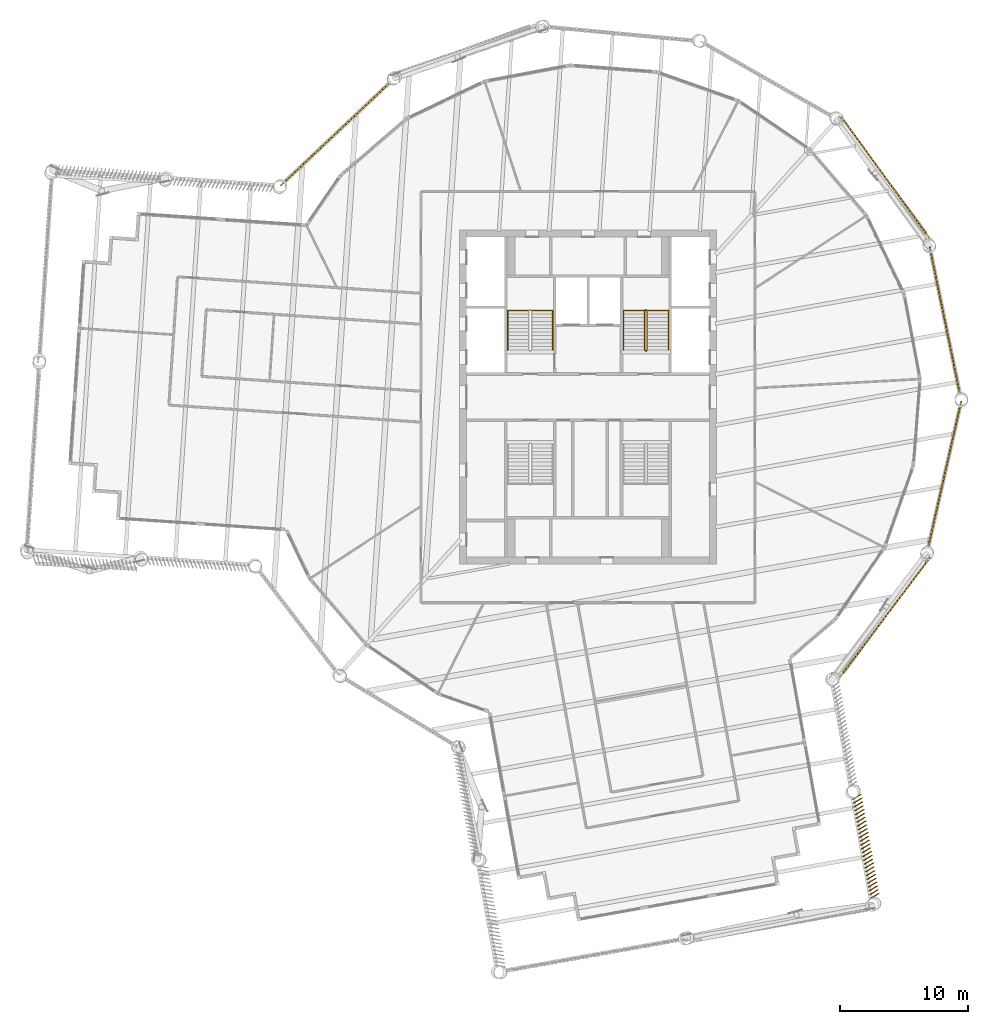
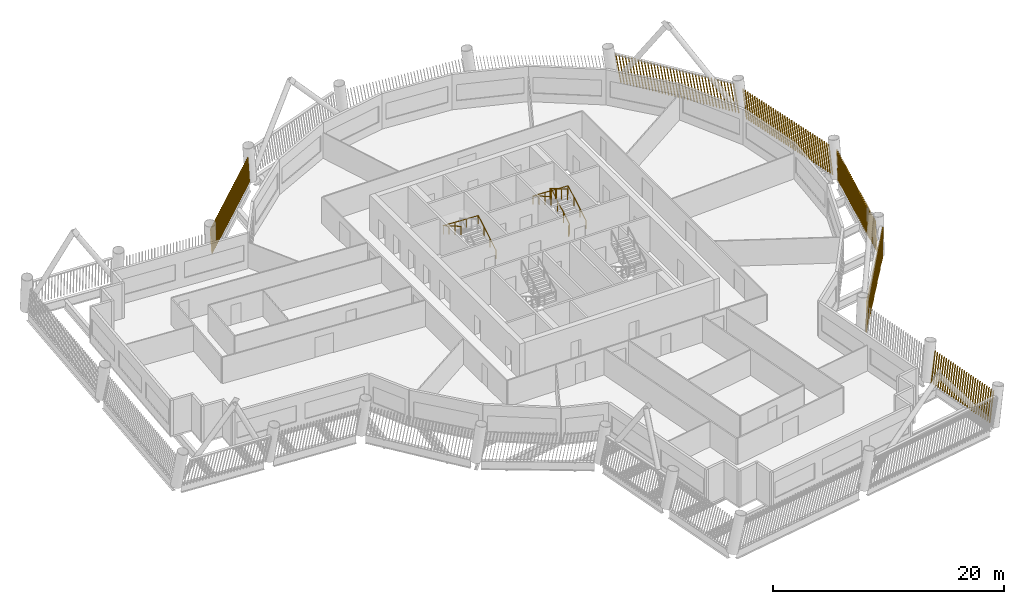
# One storey, part 20 of 22: 6 shading devices, 3 railings.
"""IFC4 building model written with IfcOpenShell, lengths in metres."""

from ifc_helpers import new_model, si_unit, direction, frame, frame_2d, origin, origin_2d, place, context, subcontext, project, spatial, rectangle, circle, composite_profile, extrude, material, type_object, element, save


model = new_model("IFC4")

# Units and contexts
model_context = context("Model", 3, precision=1e-05, world=origin(), true_north=direction((0.0, 1.0)))
body_context = subcontext(model_context, "Body", "Model", "MODEL_VIEW")
ifc_project = project(units=[si_unit("LENGTHUNIT", "METRE"), si_unit("AREAUNIT", "SQUARE_METRE"), si_unit("VOLUMEUNIT", "CUBIC_METRE"), si_unit("PLANEANGLEUNIT", "RADIAN"), si_unit("MASSUNIT", "GRAM", prefix="KILO")], contexts=[model_context])

# Site, building, storey
site_placement = place(None, origin())
site = spatial("IfcSite", under=ifc_project, at=site_placement, CompositionType="ELEMENT")
building_placement = place(site_placement, origin())
building = spatial("IfcBuilding", under=site, at=building_placement, Name="Tarsis Ring Headquarters", CompositionType="ELEMENT")
storey_placement = place(building_placement, frame((0.0, 0.0, 270.800048828125)))
storey = spatial("IfcBuildingStorey", under=building, at=storey_placement, Name="L63", CompositionType="ELEMENT", Elevation=270.800048828125)

# Railings
ifc_material_1 = material(Name="Steel S355", Category="steel")
railing_type_1 = type_object("IfcRailingType", Name="Core stair guard 1100", PredefinedType="GUARDRAIL", material=ifc_material_1)
railing_1_placement = place(storey_placement, frame((4.4599609375, 3.610107421875, 0.0)))
element("IfcRailing", 1, at=railing_1_placement, inside=storey, type_object=railing_type_1, Name="L63 ST2 stair guard 1", PredefinedType="GUARDRAIL", context=body_context, shape_type="SweptSolid", body=[
    extrude(circle(Radius=0.02392578125, at=origin_2d()), frame((0.0, 0.0, 1.076171875), z_axis=(1.0, 0.0, 0.0), x_axis=(0.0, 1.0, 0.0)), (0.0, 0.0, 1.0), 0.080078125),
    extrude(circle(Radius=0.02392578125, at=origin_2d()), frame((0.080078125, 0.0, 1.076171875), z_axis=(0.282693820306, 0.281314826061, 0.917031173188), x_axis=(-0.705375805398, 0.708833529934, 0.0)), (0.0, 0.0, 1.0), 0.177001953125),
    extrude(circle(Radius=0.02392578125, at=origin_2d()), frame((0.130126953125, 0.0498046875, 1.23828125), z_axis=(0.0, 0.864890721111, 0.501960198159), x_axis=(-1.0, 0.0, 0.0)), (0.0, 0.0, 1.0), 3.561279296875),
    extrude(circle(Radius=0.02392578125, at=origin_2d()), frame((0.130126953125, 3.1298828125, 3.02587890625), z_axis=(-0.707106781187, 0.707106781187, 0.0), x_axis=(-0.707106781187, -0.707106781187, 0.0)), (0.0, 0.0, 1.0), 0.07080078125),
    extrude(circle(Radius=0.02392578125, at=origin_2d()), frame((0.080078125, 3.179931640625, 3.02587890625), z_axis=(-1.0, 0.0, 0.0), x_axis=(0.0, -1.0, 0.0)), (0.0, 0.0, 1.0), 0.080078125),
    extrude(circle(Radius=0.02392578125, at=origin_2d()), frame((0.0, 3.179931640625, 3.02587890625), z_axis=(-0.282227285176, -0.282227285176, 0.916894497205), x_axis=(0.707106781187, -0.707106781187, 0.0)), (0.0, 0.0, 1.0), 0.17724609375),
    extrude(circle(Radius=0.02392578125, at=origin_2d()), frame((-0.050048828125, 3.1298828125, 3.1884765625), z_axis=(0.0, -0.864920483161, 0.501908913857), x_axis=(1.0, 0.0, 0.0)), (0.0, 0.0, 1.0), 3.56103515625),
    extrude(circle(Radius=0.02099609375, at=origin_2d()), origin(), (0.0, 0.0, 1.0), 1.052001953125),
    extrude(circle(Radius=0.02099609375, at=origin_2d()), frame((0.080078125, 0.0, 0.0)), (0.0, 0.0, 1.0), 1.052001953125),
    extrude(circle(Radius=0.02099609375, at=origin_2d()), frame((0.130126953125, 0.0498046875, 0.162353515625)), (0.0, 0.0, 1.0), 1.052001953125),
    extrude(circle(Radius=0.02099609375, at=origin_2d()), frame((0.130126953125, 1.076416015625, 0.75830078125)), (0.0, 0.0, 1.0), 1.052001953125),
    extrude(circle(Radius=0.02099609375, at=origin_2d()), frame((0.130126953125, 2.103271484375, 1.35400390625)), (0.0, 0.0, 1.0), 1.052001953125),
    extrude(circle(Radius=0.02099609375, at=origin_2d()), frame((0.130126953125, 3.1298828125, 1.949951171875)), (0.0, 0.0, 1.0), 1.052001953125),
    extrude(circle(Radius=0.02099609375, at=origin_2d()), frame((0.080078125, 3.179931640625, 1.949951171875)), (0.0, 0.0, 1.0), 1.052001953125),
    extrude(circle(Radius=0.02099609375, at=origin_2d()), frame((0.0, 3.179931640625, 1.949951171875)), (0.0, 0.0, 1.0), 1.052001953125),
    extrude(circle(Radius=0.02099609375, at=origin_2d()), frame((-0.050048828125, 3.1298828125, 2.112548828125)), (0.0, 0.0, 1.0), 1.052001953125),
    extrude(circle(Radius=0.02099609375, at=origin_2d()), frame((-0.050048828125, 2.103271484375, 2.708251953125)), (0.0, 0.0, 1.0), 1.052001953125),
    extrude(circle(Radius=0.02099609375, at=origin_2d()), frame((-0.050048828125, 1.076416015625, 3.30419921875)), (0.0, 0.0, 1.0), 1.052001953125),
    extrude(circle(Radius=0.02099609375, at=origin_2d()), frame((-0.050048828125, 0.0498046875, 3.89990234375)), (0.0, 0.0, 1.0), 1.052001953125),
])
railing_type_2 = type_object("IfcRailingType", Name="Core stair handrail 900", PredefinedType="HANDRAIL", material=ifc_material_1)
railing_2_placement = place(storey_placement, frame((-2.75, 3.659912109375, 0.162353515625)))
element("IfcRailing", 2, at=railing_2_placement, inside=storey, type_object=railing_type_2, Name="L63 ST1 stair handrail 1", PredefinedType="HANDRAIL", context=body_context, shape_type="SweptSolid", body=[
    extrude(circle(Radius=0.02392578125, at=origin_2d()), frame((0.0, 0.0, 0.8759765625), z_axis=(0.0, 0.864890721111, 0.501960198159), x_axis=(-1.0, 0.0, 0.0)), (0.0, 0.0, 1.0), 3.561279296875),
    extrude(circle(Radius=0.02392578125, at=origin_2d()), frame((0.0, 3.080078125, 2.66357421875), z_axis=(-0.998922641604, 0.0, 0.046406422943), x_axis=(0.0, -1.0, 0.0)), (0.0, 0.0, 1.0), 3.503662109375),
    extrude(circle(Radius=0.02392578125, at=origin_2d()), frame((-3.5, 3.080078125, 2.826171875), z_axis=(0.0, -0.864920483161, 0.501908913857), x_axis=(1.0, 0.0, 0.0)), (0.0, 0.0, 1.0), 3.56103515625),
    extrude(circle(Radius=0.02099609375, at=origin_2d()), origin(), (0.0, 0.0, 1.0), 0.851806640625),
    extrude(circle(Radius=0.02099609375, at=origin_2d()), frame((0.0, 1.026611328125, 0.595947265625)), (0.0, 0.0, 1.0), 0.851806640625),
    extrude(circle(Radius=0.02099609375, at=origin_2d()), frame((0.0, 2.053466796875, 1.191650390625)), (0.0, 0.0, 1.0), 0.851806640625),
    extrude(circle(Radius=0.02099609375, at=origin_2d()), frame((0.0, 3.080078125, 1.78759765625)), (0.0, 0.0, 1.0), 0.851806640625),
    extrude(circle(Radius=0.02099609375, at=origin_2d()), frame((-1.166748046875, 3.080078125, 1.841796875)), (0.0, 0.0, 1.0), 0.851806640625),
    extrude(circle(Radius=0.02099609375, at=origin_2d()), frame((-2.333251953125, 3.080078125, 1.89599609375)), (0.0, 0.0, 1.0), 0.851806640625),
    extrude(circle(Radius=0.02099609375, at=origin_2d()), frame((-3.5, 3.080078125, 1.9501953125)), (0.0, 0.0, 1.0), 0.851806640625),
    extrude(circle(Radius=0.02099609375, at=origin_2d()), frame((-3.5, 2.053466796875, 2.5458984375)), (0.0, 0.0, 1.0), 0.851806640625),
    extrude(circle(Radius=0.02099609375, at=origin_2d()), frame((-3.5, 1.026611328125, 3.141845703125)), (0.0, 0.0, 1.0), 0.851806640625),
    extrude(circle(Radius=0.02099609375, at=origin_2d()), frame((-3.5, 0.0, 3.737548828125)), (0.0, 0.0, 1.0), 0.851806640625),
])
railing_3_placement = place(storey_placement, frame((6.25, 3.659912109375, 0.162353515625)))
element("IfcRailing", 3, at=railing_3_placement, inside=storey, type_object=railing_type_2, Name="L63 ST2 stair handrail 1", PredefinedType="HANDRAIL", context=body_context, shape_type="SweptSolid", body=[
    extrude(circle(Radius=0.02392578125, at=origin_2d()), frame((0.0, 0.0, 0.8759765625), z_axis=(0.0, 0.864890721111, 0.501960198159), x_axis=(-1.0, 0.0, 0.0)), (0.0, 0.0, 1.0), 3.561279296875),
    extrude(circle(Radius=0.02392578125, at=origin_2d()), frame((0.0, 3.080078125, 2.66357421875), z_axis=(-0.998922641604, 0.0, 0.046406422943), x_axis=(0.0, -1.0, 0.0)), (0.0, 0.0, 1.0), 3.503662109375),
    extrude(circle(Radius=0.02392578125, at=origin_2d()), frame((-3.5, 3.080078125, 2.826171875), z_axis=(0.0, -0.864920483161, 0.501908913857), x_axis=(1.0, 0.0, 0.0)), (0.0, 0.0, 1.0), 3.56103515625),
    extrude(circle(Radius=0.02099609375, at=origin_2d()), origin(), (0.0, 0.0, 1.0), 0.851806640625),
    extrude(circle(Radius=0.02099609375, at=origin_2d()), frame((0.0, 1.026611328125, 0.595947265625)), (0.0, 0.0, 1.0), 0.851806640625),
    extrude(circle(Radius=0.02099609375, at=origin_2d()), frame((0.0, 2.053466796875, 1.191650390625)), (0.0, 0.0, 1.0), 0.851806640625),
    extrude(circle(Radius=0.02099609375, at=origin_2d()), frame((0.0, 3.080078125, 1.78759765625)), (0.0, 0.0, 1.0), 0.851806640625),
    extrude(circle(Radius=0.02099609375, at=origin_2d()), frame((-1.166748046875, 3.080078125, 1.841796875)), (0.0, 0.0, 1.0), 0.851806640625),
    extrude(circle(Radius=0.02099609375, at=origin_2d()), frame((-2.333251953125, 3.080078125, 1.89599609375)), (0.0, 0.0, 1.0), 0.851806640625),
    extrude(circle(Radius=0.02099609375, at=origin_2d()), frame((-3.5, 3.080078125, 1.9501953125)), (0.0, 0.0, 1.0), 0.851806640625),
    extrude(circle(Radius=0.02099609375, at=origin_2d()), frame((-3.5, 2.053466796875, 2.5458984375)), (0.0, 0.0, 1.0), 0.851806640625),
    extrude(circle(Radius=0.02099609375, at=origin_2d()), frame((-3.5, 1.026611328125, 3.141845703125)), (0.0, 0.0, 1.0), 0.851806640625),
    extrude(circle(Radius=0.02099609375, at=origin_2d()), frame((-3.5, 0.0, 3.737548828125)), (0.0, 0.0, 1.0), 0.851806640625),
])

# Shading devices
ifc_material_2 = material(Name="Terracotta baguette", Category="masonry")
shading_device_type = type_object("IfcShadingDeviceType", Name="Terracotta baguette screen", PredefinedType="USERDEFINED", material=ifc_material_2)
shading_device_1_placement = place(storey_placement, frame((22.002197265625, -39.041259765625, 0.0), z_axis=(0.0, 0.0, 1.0), x_axis=(-0.175698220465, 0.984429065744, 0.0)))
element("IfcShadingDevice", 4, at=shading_device_1_placement, inside=storey, type_object=shading_device_type, Name="Baguette screen L63-05", ObjectType="Terracotta baguette screen", PredefinedType="USERDEFINED", context=body_context, shape_type="SweptSolid", body=[
    extrude(composite_profile([rectangle(XDim=0.06005859375, YDim=0.1201171875, at=frame_2d((0.030029296875, 0.0))), rectangle(XDim=0.06005859375, YDim=0.1201171875, at=frame_2d((0.33154296875, 0.0))), rectangle(XDim=0.06005859375, YDim=0.1201171875, at=frame_2d((0.63330078125, 0.0))), rectangle(XDim=0.06005859375, YDim=0.1201171875, at=frame_2d((0.934814453125, 0.0))), rectangle(XDim=0.06005859375, YDim=0.1201171875, at=frame_2d((1.236572265625, 0.0))), rectangle(XDim=0.06005859375, YDim=0.1201171875, at=frame_2d((1.5380859375, 0.0))), rectangle(XDim=0.06005859375, YDim=0.1201171875, at=frame_2d((1.83984375, 0.0))), rectangle(XDim=0.06005859375, YDim=0.1201171875, at=frame_2d((2.141357421875, 0.0))), rectangle(XDim=0.06005859375, YDim=0.1201171875, at=frame_2d((2.443115234375, 0.0))), rectangle(XDim=0.06005859375, YDim=0.1201171875, at=frame_2d((2.74462890625, 0.0))), rectangle(XDim=0.06005859375, YDim=0.1201171875, at=frame_2d((3.04638671875, 0.0))), rectangle(XDim=0.06005859375, YDim=0.1201171875, at=frame_2d((3.347900390625, 0.0))), rectangle(XDim=0.06005859375, YDim=0.1201171875, at=frame_2d((3.649658203125, 0.0))), rectangle(XDim=0.06005859375, YDim=0.1201171875, at=frame_2d((3.951171875, 0.0))), rectangle(XDim=0.06005859375, YDim=0.1201171875, at=frame_2d((4.252685546875, 0.0))), rectangle(XDim=0.06005859375, YDim=0.1201171875, at=frame_2d((4.554443359375, 0.0))), rectangle(XDim=0.06005859375, YDim=0.1201171875, at=frame_2d((4.85595703125, 0.0))), rectangle(XDim=0.06005859375, YDim=0.1201171875, at=frame_2d((5.15771484375, 0.0))), rectangle(XDim=0.06005859375, YDim=0.1201171875, at=frame_2d((5.459228515625, 0.0))), rectangle(XDim=0.06005859375, YDim=0.1201171875, at=frame_2d((5.760986328125, 0.0))), rectangle(XDim=0.06005859375, YDim=0.1201171875, at=frame_2d((6.0625, 0.0))), rectangle(XDim=0.06005859375, YDim=0.1201171875, at=frame_2d((6.3642578125, 0.0))), rectangle(XDim=0.06005859375, YDim=0.1201171875, at=frame_2d((6.665771484375, 0.0))), rectangle(XDim=0.06005859375, YDim=0.1201171875, at=frame_2d((6.967529296875, 0.0))), rectangle(XDim=0.06005859375, YDim=0.1201171875, at=frame_2d((7.26904296875, 0.0))), rectangle(XDim=0.06005859375, YDim=0.1201171875, at=frame_2d((7.57080078125, 0.0))), rectangle(XDim=0.06005859375, YDim=0.1201171875, at=frame_2d((7.872314453125, 0.0)))]), origin(), (0.08651055011, -0.218459988981, 0.972003682058), 3.05322265625),
])
shading_device_2_placement = place(storey_placement, frame((19.562255859375, -21.833251953125, 0.0), z_axis=(0.0, 0.0, 1.0), x_axis=(0.602916919872, 0.797790606824, 0.0)))
element("IfcShadingDevice", 5, at=shading_device_2_placement, inside=storey, type_object=shading_device_type, Name="Baguette screen L63-07", ObjectType="Terracotta baguette screen", PredefinedType="USERDEFINED", context=body_context, shape_type="SweptSolid", body=[
    extrude(composite_profile([rectangle(XDim=0.06005859375, YDim=0.1201171875, at=frame_2d((0.030029296875, 0.0))), rectangle(XDim=0.06005859375, YDim=0.1201171875, at=frame_2d((0.33251953125, 0.0))), rectangle(XDim=0.06005859375, YDim=0.1201171875, at=frame_2d((0.634765625, 0.0))), rectangle(XDim=0.06005859375, YDim=0.1201171875, at=frame_2d((0.937255859375, 0.0))), rectangle(XDim=0.06005859375, YDim=0.1201171875, at=frame_2d((1.239501953125, 0.0))), rectangle(XDim=0.06005859375, YDim=0.1201171875, at=frame_2d((1.5419921875, 0.0))), rectangle(XDim=0.06005859375, YDim=0.1201171875, at=frame_2d((1.844482421875, 0.0))), rectangle(XDim=0.06005859375, YDim=0.1201171875, at=frame_2d((2.146728515625, 0.0))), rectangle(XDim=0.06005859375, YDim=0.1201171875, at=frame_2d((2.44921875, 0.0))), rectangle(XDim=0.06005859375, YDim=0.1201171875, at=frame_2d((2.751708984375, 0.0))), rectangle(XDim=0.06005859375, YDim=0.1201171875, at=frame_2d((3.053955078125, 0.0))), rectangle(XDim=0.06005859375, YDim=0.1201171875, at=frame_2d((3.3564453125, 0.0))), rectangle(XDim=0.06005859375, YDim=0.1201171875, at=frame_2d((3.65869140625, 0.0))), rectangle(XDim=0.06005859375, YDim=0.1201171875, at=frame_2d((3.961181640625, 0.0))), rectangle(XDim=0.06005859375, YDim=0.1201171875, at=frame_2d((4.263671875, 0.0))), rectangle(XDim=0.06005859375, YDim=0.1201171875, at=frame_2d((4.56591796875, 0.0))), rectangle(XDim=0.06005859375, YDim=0.1201171875, at=frame_2d((4.868408203125, 0.0))), rectangle(XDim=0.06005859375, YDim=0.1201171875, at=frame_2d((5.1708984375, 0.0))), rectangle(XDim=0.06005859375, YDim=0.1201171875, at=frame_2d((5.47314453125, 0.0))), rectangle(XDim=0.06005859375, YDim=0.1201171875, at=frame_2d((5.775634765625, 0.0))), rectangle(XDim=0.06005859375, YDim=0.1201171875, at=frame_2d((6.077880859375, 0.0))), rectangle(XDim=0.06005859375, YDim=0.1201171875, at=frame_2d((6.38037109375, 0.0))), rectangle(XDim=0.06005859375, YDim=0.1201171875, at=frame_2d((6.682861328125, 0.0))), rectangle(XDim=0.06005859375, YDim=0.1201171875, at=frame_2d((6.985107421875, 0.0))), rectangle(XDim=0.06005859375, YDim=0.1201171875, at=frame_2d((7.28759765625, 0.0))), rectangle(XDim=0.06005859375, YDim=0.1201171875, at=frame_2d((7.590087890625, 0.0))), rectangle(XDim=0.06005859375, YDim=0.1201171875, at=frame_2d((7.892333984375, 0.0))), rectangle(XDim=0.06005859375, YDim=0.1201171875, at=frame_2d((8.19482421875, 0.0))), rectangle(XDim=0.06005859375, YDim=0.1201171875, at=frame_2d((8.4970703125, 0.0))), rectangle(XDim=0.06005859375, YDim=0.1201171875, at=frame_2d((8.799560546875, 0.0))), rectangle(XDim=0.06005859375, YDim=0.1201171875, at=frame_2d((9.10205078125, 0.0))), rectangle(XDim=0.06005859375, YDim=0.1201171875, at=frame_2d((9.404296875, 0.0))), rectangle(XDim=0.06005859375, YDim=0.1201171875, at=frame_2d((9.706787109375, 0.0))), rectangle(XDim=0.06005859375, YDim=0.1201171875, at=frame_2d((10.00927734375, 0.0))), rectangle(XDim=0.06005859375, YDim=0.1201171875, at=frame_2d((10.3115234375, 0.0))), rectangle(XDim=0.06005859375, YDim=0.1201171875, at=frame_2d((10.614013671875, 0.0))), rectangle(XDim=0.06005859375, YDim=0.1201171875, at=frame_2d((10.916259765625, 0.0))), rectangle(XDim=0.06005859375, YDim=0.1201171875, at=frame_2d((11.21875, 0.0)))]), origin(), (0.166816642488, 0.001458404835, 0.985986856324), 3.010009765625),
])
shading_device_3_placement = place(storey_placement, frame((26.45703125, -11.74609375, 0.0), z_axis=(0.0, 0.0, 1.0), x_axis=(0.220449711334, 0.975409124452, 0.0)))
element("IfcShadingDevice", 6, at=shading_device_3_placement, inside=storey, type_object=shading_device_type, Name="Baguette screen L63-08", ObjectType="Terracotta baguette screen", PredefinedType="USERDEFINED", context=body_context, shape_type="SweptSolid", body=[
    extrude(composite_profile([rectangle(XDim=0.06005859375, YDim=0.1201171875, at=frame_2d((0.030029296875, 0.0))), rectangle(XDim=0.06005859375, YDim=0.1201171875, at=frame_2d((0.33251953125, 0.0))), rectangle(XDim=0.06005859375, YDim=0.1201171875, at=frame_2d((0.634765625, 0.0))), rectangle(XDim=0.06005859375, YDim=0.1201171875, at=frame_2d((0.937255859375, 0.0))), rectangle(XDim=0.06005859375, YDim=0.1201171875, at=frame_2d((1.239501953125, 0.0))), rectangle(XDim=0.06005859375, YDim=0.1201171875, at=frame_2d((1.5419921875, 0.0))), rectangle(XDim=0.06005859375, YDim=0.1201171875, at=frame_2d((1.844482421875, 0.0))), rectangle(XDim=0.06005859375, YDim=0.1201171875, at=frame_2d((2.146728515625, 0.0))), rectangle(XDim=0.06005859375, YDim=0.1201171875, at=frame_2d((2.44921875, 0.0))), rectangle(XDim=0.06005859375, YDim=0.1201171875, at=frame_2d((2.751708984375, 0.0))), rectangle(XDim=0.06005859375, YDim=0.1201171875, at=frame_2d((3.053955078125, 0.0))), rectangle(XDim=0.06005859375, YDim=0.1201171875, at=frame_2d((3.3564453125, 0.0))), rectangle(XDim=0.06005859375, YDim=0.1201171875, at=frame_2d((3.65869140625, 0.0))), rectangle(XDim=0.06005859375, YDim=0.1201171875, at=frame_2d((3.961181640625, 0.0))), rectangle(XDim=0.06005859375, YDim=0.1201171875, at=frame_2d((4.263671875, 0.0))), rectangle(XDim=0.06005859375, YDim=0.1201171875, at=frame_2d((4.56591796875, 0.0))), rectangle(XDim=0.06005859375, YDim=0.1201171875, at=frame_2d((4.868408203125, 0.0))), rectangle(XDim=0.06005859375, YDim=0.1201171875, at=frame_2d((5.1708984375, 0.0))), rectangle(XDim=0.06005859375, YDim=0.1201171875, at=frame_2d((5.47314453125, 0.0))), rectangle(XDim=0.06005859375, YDim=0.1201171875, at=frame_2d((5.775634765625, 0.0))), rectangle(XDim=0.06005859375, YDim=0.1201171875, at=frame_2d((6.077880859375, 0.0))), rectangle(XDim=0.06005859375, YDim=0.1201171875, at=frame_2d((6.38037109375, 0.0))), rectangle(XDim=0.06005859375, YDim=0.1201171875, at=frame_2d((6.682861328125, 0.0))), rectangle(XDim=0.06005859375, YDim=0.1201171875, at=frame_2d((6.985107421875, 0.0))), rectangle(XDim=0.06005859375, YDim=0.1201171875, at=frame_2d((7.28759765625, 0.0))), rectangle(XDim=0.06005859375, YDim=0.1201171875, at=frame_2d((7.590087890625, 0.0))), rectangle(XDim=0.06005859375, YDim=0.1201171875, at=frame_2d((7.892333984375, 0.0))), rectangle(XDim=0.06005859375, YDim=0.1201171875, at=frame_2d((8.19482421875, 0.0))), rectangle(XDim=0.06005859375, YDim=0.1201171875, at=frame_2d((8.4970703125, 0.0))), rectangle(XDim=0.06005859375, YDim=0.1201171875, at=frame_2d((8.799560546875, 0.0))), rectangle(XDim=0.06005859375, YDim=0.1201171875, at=frame_2d((9.10205078125, 0.0))), rectangle(XDim=0.06005859375, YDim=0.1201171875, at=frame_2d((9.404296875, 0.0))), rectangle(XDim=0.06005859375, YDim=0.1201171875, at=frame_2d((9.706787109375, 0.0))), rectangle(XDim=0.06005859375, YDim=0.1201171875, at=frame_2d((10.00927734375, 0.0))), rectangle(XDim=0.06005859375, YDim=0.1201171875, at=frame_2d((10.3115234375, 0.0))), rectangle(XDim=0.06005859375, YDim=0.1201171875, at=frame_2d((10.614013671875, 0.0))), rectangle(XDim=0.06005859375, YDim=0.1201171875, at=frame_2d((10.916259765625, 0.0))), rectangle(XDim=0.06005859375, YDim=0.1201171875, at=frame_2d((11.21875, 0.0)))]), origin(), (0.164705080768, 0.001434943217, 0.986341815654), 3.0087890625),
])
shading_device_4_placement = place(storey_placement, frame((28.946533203125, 0.203369140625, 0.0), z_axis=(0.0, 0.0, 1.0), x_axis=(-0.201193705914, 0.97955507325, 0.0)))
element("IfcShadingDevice", 7, at=shading_device_4_placement, inside=storey, type_object=shading_device_type, Name="Baguette screen L63-09", ObjectType="Terracotta baguette screen", PredefinedType="USERDEFINED", context=body_context, shape_type="SweptSolid", body=[
    extrude(composite_profile([rectangle(XDim=0.06005859375, YDim=0.1201171875, at=frame_2d((0.030029296875, 0.0))), rectangle(XDim=0.06005859375, YDim=0.1201171875, at=frame_2d((0.33251953125, 0.0))), rectangle(XDim=0.06005859375, YDim=0.1201171875, at=frame_2d((0.634765625, 0.0))), rectangle(XDim=0.06005859375, YDim=0.1201171875, at=frame_2d((0.937255859375, 0.0))), rectangle(XDim=0.06005859375, YDim=0.1201171875, at=frame_2d((1.239501953125, 0.0))), rectangle(XDim=0.06005859375, YDim=0.1201171875, at=frame_2d((1.5419921875, 0.0))), rectangle(XDim=0.06005859375, YDim=0.1201171875, at=frame_2d((1.844482421875, 0.0))), rectangle(XDim=0.06005859375, YDim=0.1201171875, at=frame_2d((2.146728515625, 0.0))), rectangle(XDim=0.06005859375, YDim=0.1201171875, at=frame_2d((2.44921875, 0.0))), rectangle(XDim=0.06005859375, YDim=0.1201171875, at=frame_2d((2.751708984375, 0.0))), rectangle(XDim=0.06005859375, YDim=0.1201171875, at=frame_2d((3.053955078125, 0.0))), rectangle(XDim=0.06005859375, YDim=0.1201171875, at=frame_2d((3.3564453125, 0.0))), rectangle(XDim=0.06005859375, YDim=0.1201171875, at=frame_2d((3.65869140625, 0.0))), rectangle(XDim=0.06005859375, YDim=0.1201171875, at=frame_2d((3.961181640625, 0.0))), rectangle(XDim=0.06005859375, YDim=0.1201171875, at=frame_2d((4.263671875, 0.0))), rectangle(XDim=0.06005859375, YDim=0.1201171875, at=frame_2d((4.56591796875, 0.0))), rectangle(XDim=0.06005859375, YDim=0.1201171875, at=frame_2d((4.868408203125, 0.0))), rectangle(XDim=0.06005859375, YDim=0.1201171875, at=frame_2d((5.1708984375, 0.0))), rectangle(XDim=0.06005859375, YDim=0.1201171875, at=frame_2d((5.47314453125, 0.0))), rectangle(XDim=0.06005859375, YDim=0.1201171875, at=frame_2d((5.775634765625, 0.0))), rectangle(XDim=0.06005859375, YDim=0.1201171875, at=frame_2d((6.077880859375, 0.0))), rectangle(XDim=0.06005859375, YDim=0.1201171875, at=frame_2d((6.38037109375, 0.0))), rectangle(XDim=0.06005859375, YDim=0.1201171875, at=frame_2d((6.682861328125, 0.0))), rectangle(XDim=0.06005859375, YDim=0.1201171875, at=frame_2d((6.985107421875, 0.0))), rectangle(XDim=0.06005859375, YDim=0.1201171875, at=frame_2d((7.28759765625, 0.0))), rectangle(XDim=0.06005859375, YDim=0.1201171875, at=frame_2d((7.590087890625, 0.0))), rectangle(XDim=0.06005859375, YDim=0.1201171875, at=frame_2d((7.892333984375, 0.0))), rectangle(XDim=0.06005859375, YDim=0.1201171875, at=frame_2d((8.19482421875, 0.0))), rectangle(XDim=0.06005859375, YDim=0.1201171875, at=frame_2d((8.4970703125, 0.0))), rectangle(XDim=0.06005859375, YDim=0.1201171875, at=frame_2d((8.799560546875, 0.0))), rectangle(XDim=0.06005859375, YDim=0.1201171875, at=frame_2d((9.10205078125, 0.0))), rectangle(XDim=0.06005859375, YDim=0.1201171875, at=frame_2d((9.404296875, 0.0))), rectangle(XDim=0.06005859375, YDim=0.1201171875, at=frame_2d((9.706787109375, 0.0))), rectangle(XDim=0.06005859375, YDim=0.1201171875, at=frame_2d((10.00927734375, 0.0))), rectangle(XDim=0.06005859375, YDim=0.1201171875, at=frame_2d((10.3115234375, 0.0))), rectangle(XDim=0.06005859375, YDim=0.1201171875, at=frame_2d((10.614013671875, 0.0))), rectangle(XDim=0.06005859375, YDim=0.1201171875, at=frame_2d((10.916259765625, 0.0))), rectangle(XDim=0.06005859375, YDim=0.1201171875, at=frame_2d((11.21875, 0.0)))]), origin(), (0.164704007547, 0.001436075852, 0.986341993217), 3.0087890625),
])
shading_device_5_placement = place(storey_placement, frame((26.5927734375, 12.3369140625, 0.0), z_axis=(0.0, 0.0, 1.0), x_axis=(-0.587064568638, 0.809549647314, 0.0)))
element("IfcShadingDevice", 8, at=shading_device_5_placement, inside=storey, type_object=shading_device_type, Name="Baguette screen L63-10", ObjectType="Terracotta baguette screen", PredefinedType="USERDEFINED", context=body_context, shape_type="SweptSolid", body=[
    extrude(composite_profile([rectangle(XDim=0.06005859375, YDim=0.1201171875, at=frame_2d((0.030029296875, 0.0))), rectangle(XDim=0.06005859375, YDim=0.1201171875, at=frame_2d((0.33251953125, 0.0))), rectangle(XDim=0.06005859375, YDim=0.1201171875, at=frame_2d((0.634765625, 0.0))), rectangle(XDim=0.06005859375, YDim=0.1201171875, at=frame_2d((0.937255859375, 0.0))), rectangle(XDim=0.06005859375, YDim=0.1201171875, at=frame_2d((1.239501953125, 0.0))), rectangle(XDim=0.06005859375, YDim=0.1201171875, at=frame_2d((1.5419921875, 0.0))), rectangle(XDim=0.06005859375, YDim=0.1201171875, at=frame_2d((1.844482421875, 0.0))), rectangle(XDim=0.06005859375, YDim=0.1201171875, at=frame_2d((2.146728515625, 0.0))), rectangle(XDim=0.06005859375, YDim=0.1201171875, at=frame_2d((2.44921875, 0.0))), rectangle(XDim=0.06005859375, YDim=0.1201171875, at=frame_2d((2.751708984375, 0.0))), rectangle(XDim=0.06005859375, YDim=0.1201171875, at=frame_2d((3.053955078125, 0.0))), rectangle(XDim=0.06005859375, YDim=0.1201171875, at=frame_2d((3.3564453125, 0.0))), rectangle(XDim=0.06005859375, YDim=0.1201171875, at=frame_2d((3.65869140625, 0.0))), rectangle(XDim=0.06005859375, YDim=0.1201171875, at=frame_2d((3.961181640625, 0.0))), rectangle(XDim=0.06005859375, YDim=0.1201171875, at=frame_2d((4.263671875, 0.0))), rectangle(XDim=0.06005859375, YDim=0.1201171875, at=frame_2d((4.56591796875, 0.0))), rectangle(XDim=0.06005859375, YDim=0.1201171875, at=frame_2d((4.868408203125, 0.0))), rectangle(XDim=0.06005859375, YDim=0.1201171875, at=frame_2d((5.1708984375, 0.0))), rectangle(XDim=0.06005859375, YDim=0.1201171875, at=frame_2d((5.47314453125, 0.0))), rectangle(XDim=0.06005859375, YDim=0.1201171875, at=frame_2d((5.775634765625, 0.0))), rectangle(XDim=0.06005859375, YDim=0.1201171875, at=frame_2d((6.077880859375, 0.0))), rectangle(XDim=0.06005859375, YDim=0.1201171875, at=frame_2d((6.38037109375, 0.0))), rectangle(XDim=0.06005859375, YDim=0.1201171875, at=frame_2d((6.682861328125, 0.0))), rectangle(XDim=0.06005859375, YDim=0.1201171875, at=frame_2d((6.985107421875, 0.0))), rectangle(XDim=0.06005859375, YDim=0.1201171875, at=frame_2d((7.28759765625, 0.0))), rectangle(XDim=0.06005859375, YDim=0.1201171875, at=frame_2d((7.590087890625, 0.0))), rectangle(XDim=0.06005859375, YDim=0.1201171875, at=frame_2d((7.892333984375, 0.0))), rectangle(XDim=0.06005859375, YDim=0.1201171875, at=frame_2d((8.19482421875, 0.0))), rectangle(XDim=0.06005859375, YDim=0.1201171875, at=frame_2d((8.4970703125, 0.0))), rectangle(XDim=0.06005859375, YDim=0.1201171875, at=frame_2d((8.799560546875, 0.0))), rectangle(XDim=0.06005859375, YDim=0.1201171875, at=frame_2d((9.10205078125, 0.0))), rectangle(XDim=0.06005859375, YDim=0.1201171875, at=frame_2d((9.404296875, 0.0))), rectangle(XDim=0.06005859375, YDim=0.1201171875, at=frame_2d((9.706787109375, 0.0))), rectangle(XDim=0.06005859375, YDim=0.1201171875, at=frame_2d((10.00927734375, 0.0))), rectangle(XDim=0.06005859375, YDim=0.1201171875, at=frame_2d((10.3115234375, 0.0))), rectangle(XDim=0.06005859375, YDim=0.1201171875, at=frame_2d((10.614013671875, 0.0))), rectangle(XDim=0.06005859375, YDim=0.1201171875, at=frame_2d((10.916259765625, 0.0))), rectangle(XDim=0.06005859375, YDim=0.1201171875, at=frame_2d((11.21875, 0.0)))]), origin(), (0.16681980097, 0.001455978001, 0.98598632553), 3.010009765625),
])
shading_device_6_placement = place(storey_placement, frame((-15.388916015625, 24.517822265625, 0.0), z_axis=(0.0, 0.0, 1.0), x_axis=(-0.727552902876, -0.686055344547, 0.0)))
element("IfcShadingDevice", 9, at=shading_device_6_placement, inside=storey, type_object=shading_device_type, Name="Baguette screen L63-14", ObjectType="Terracotta baguette screen", PredefinedType="USERDEFINED", context=body_context, shape_type="SweptSolid", body=[
    extrude(composite_profile([rectangle(XDim=0.06005859375, YDim=0.1201171875, at=frame_2d((0.030029296875, 0.0))), rectangle(XDim=0.06005859375, YDim=0.1201171875, at=frame_2d((0.33251953125, 0.0))), rectangle(XDim=0.06005859375, YDim=0.1201171875, at=frame_2d((0.634765625, 0.0))), rectangle(XDim=0.06005859375, YDim=0.1201171875, at=frame_2d((0.937255859375, 0.0))), rectangle(XDim=0.06005859375, YDim=0.1201171875, at=frame_2d((1.239501953125, 0.0))), rectangle(XDim=0.06005859375, YDim=0.1201171875, at=frame_2d((1.5419921875, 0.0))), rectangle(XDim=0.06005859375, YDim=0.1201171875, at=frame_2d((1.844482421875, 0.0))), rectangle(XDim=0.06005859375, YDim=0.1201171875, at=frame_2d((2.146728515625, 0.0))), rectangle(XDim=0.06005859375, YDim=0.1201171875, at=frame_2d((2.44921875, 0.0))), rectangle(XDim=0.06005859375, YDim=0.1201171875, at=frame_2d((2.751708984375, 0.0))), rectangle(XDim=0.06005859375, YDim=0.1201171875, at=frame_2d((3.053955078125, 0.0))), rectangle(XDim=0.06005859375, YDim=0.1201171875, at=frame_2d((3.3564453125, 0.0))), rectangle(XDim=0.06005859375, YDim=0.1201171875, at=frame_2d((3.65869140625, 0.0))), rectangle(XDim=0.06005859375, YDim=0.1201171875, at=frame_2d((3.961181640625, 0.0))), rectangle(XDim=0.06005859375, YDim=0.1201171875, at=frame_2d((4.263671875, 0.0))), rectangle(XDim=0.06005859375, YDim=0.1201171875, at=frame_2d((4.56591796875, 0.0))), rectangle(XDim=0.06005859375, YDim=0.1201171875, at=frame_2d((4.868408203125, 0.0))), rectangle(XDim=0.06005859375, YDim=0.1201171875, at=frame_2d((5.1708984375, 0.0))), rectangle(XDim=0.06005859375, YDim=0.1201171875, at=frame_2d((5.47314453125, 0.0))), rectangle(XDim=0.06005859375, YDim=0.1201171875, at=frame_2d((5.775634765625, 0.0))), rectangle(XDim=0.06005859375, YDim=0.1201171875, at=frame_2d((6.077880859375, 0.0))), rectangle(XDim=0.06005859375, YDim=0.1201171875, at=frame_2d((6.38037109375, 0.0))), rectangle(XDim=0.06005859375, YDim=0.1201171875, at=frame_2d((6.682861328125, 0.0))), rectangle(XDim=0.06005859375, YDim=0.1201171875, at=frame_2d((6.985107421875, 0.0))), rectangle(XDim=0.06005859375, YDim=0.1201171875, at=frame_2d((7.28759765625, 0.0))), rectangle(XDim=0.06005859375, YDim=0.1201171875, at=frame_2d((7.590087890625, 0.0))), rectangle(XDim=0.06005859375, YDim=0.1201171875, at=frame_2d((7.892333984375, 0.0))), rectangle(XDim=0.06005859375, YDim=0.1201171875, at=frame_2d((8.19482421875, 0.0))), rectangle(XDim=0.06005859375, YDim=0.1201171875, at=frame_2d((8.4970703125, 0.0))), rectangle(XDim=0.06005859375, YDim=0.1201171875, at=frame_2d((8.799560546875, 0.0))), rectangle(XDim=0.06005859375, YDim=0.1201171875, at=frame_2d((9.10205078125, 0.0))), rectangle(XDim=0.06005859375, YDim=0.1201171875, at=frame_2d((9.404296875, 0.0))), rectangle(XDim=0.06005859375, YDim=0.1201171875, at=frame_2d((9.706787109375, 0.0))), rectangle(XDim=0.06005859375, YDim=0.1201171875, at=frame_2d((10.00927734375, 0.0))), rectangle(XDim=0.06005859375, YDim=0.1201171875, at=frame_2d((10.3115234375, 0.0))), rectangle(XDim=0.06005859375, YDim=0.1201171875, at=frame_2d((10.614013671875, 0.0))), rectangle(XDim=0.06005859375, YDim=0.1201171875, at=frame_2d((10.916259765625, 0.0))), rectangle(XDim=0.06005859375, YDim=0.1201171875, at=frame_2d((11.21875, 0.0)))]), origin(), (0.164703870452, 0.001437913444, 0.986342013433), 3.0087890625),
])

save(model, "model.ifc")
